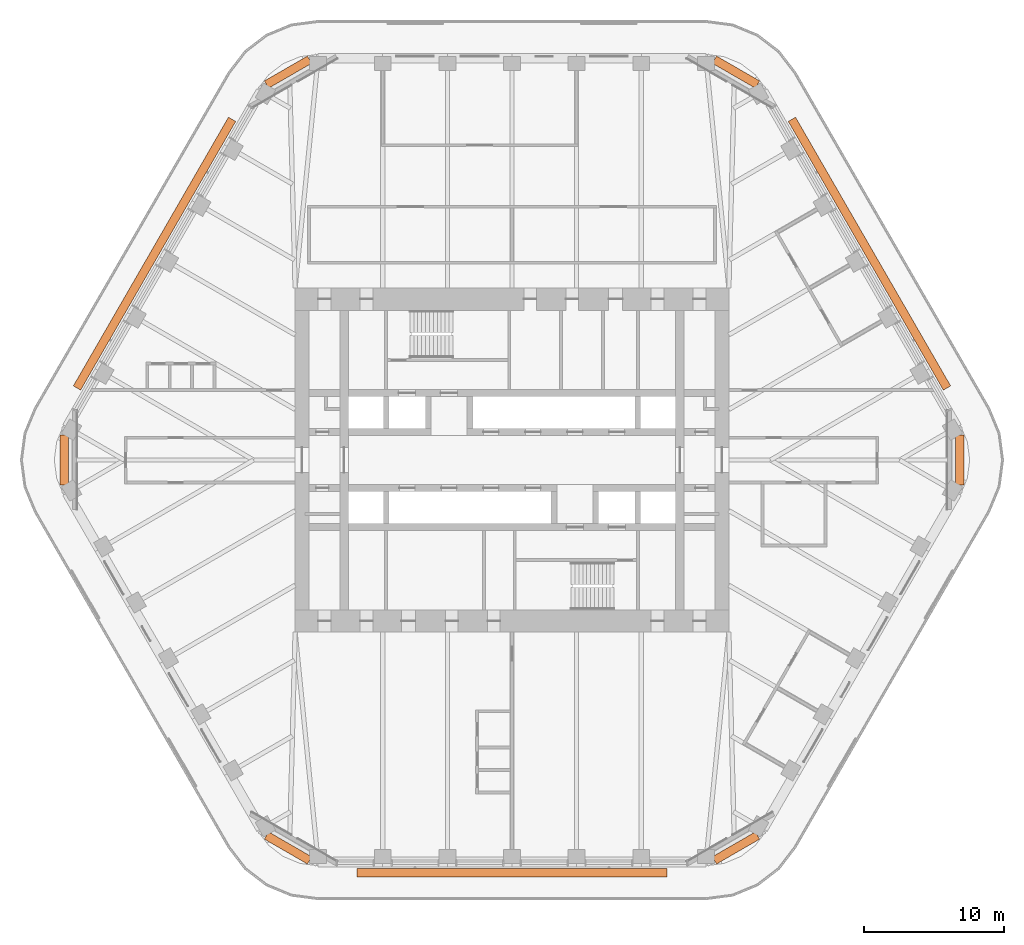
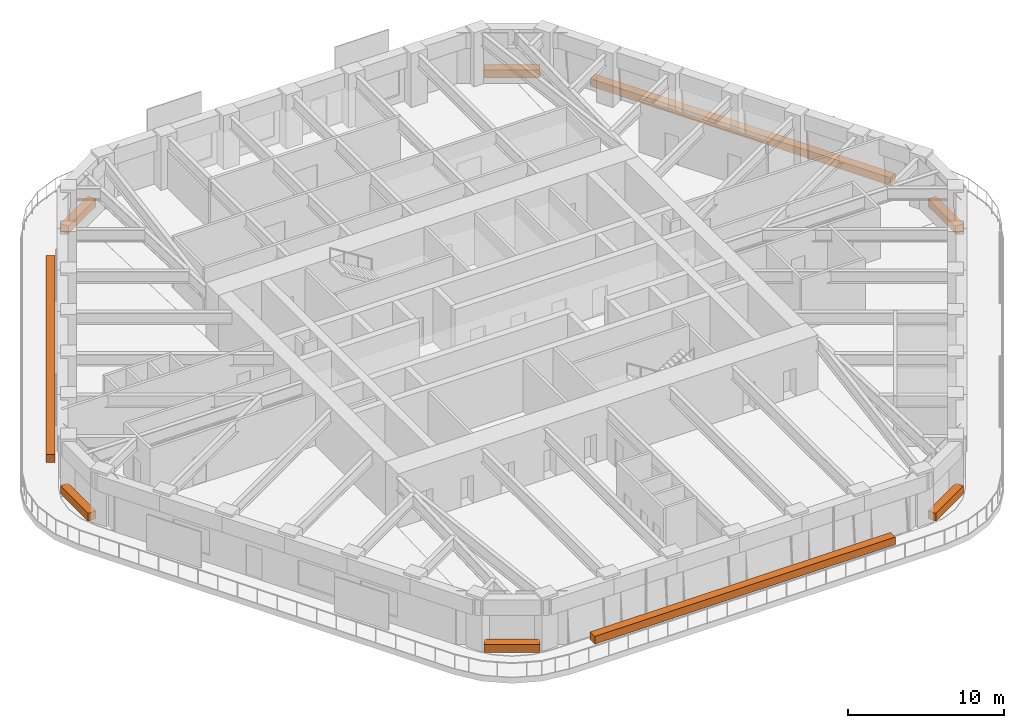
# One storey, part 20 of 20: 9 proxies.
"""IFC4 building model written with IfcOpenShell, lengths in metres."""

from ifc_helpers import new_model, si_unit, direction, frame, origin, origin_2d, place, context, subcontext, project, spatial, rectangle, extrude, material, element, save


model = new_model("IFC4")

# Units and contexts
model_context = context("Model", 3, precision=1e-05, world=origin(), true_north=direction((0.0, 1.0)))
body_context = subcontext(model_context, "Body", "Model", "MODEL_VIEW")
ifc_project = project(units=[si_unit("LENGTHUNIT", "METRE"), si_unit("AREAUNIT", "SQUARE_METRE"), si_unit("VOLUMEUNIT", "CUBIC_METRE"), si_unit("PLANEANGLEUNIT", "RADIAN"), si_unit("MASSUNIT", "GRAM", prefix="KILO")], contexts=[model_context])

# Site, building, storey
site_placement = place(None, origin())
site = spatial("IfcSite", under=ifc_project, at=site_placement, CompositionType="ELEMENT")
building_placement = place(site_placement, origin())
building = spatial("IfcBuilding", under=site, at=building_placement, Name="Tarfa Lantern Tower", CompositionType="ELEMENT")
storey_placement = place(building_placement, frame((0.0, 0.0, 274.300048828125)))
storey = spatial("IfcBuildingStorey", under=building, at=storey_placement, Name="L62", CompositionType="ELEMENT", Elevation=274.300048828125)

# Proxies
ifc_material = material(Name="Planting bed")
for number, where, z_axis, x_axis, name in (
    (1, (16.006591796875, 27.72412109375, 0.039794921875), (0.0, 0.0, 1.0), (-0.866025403784, 0.5, 0.0), "Sky garden planter"),
    (2, (-16.006591796875, 27.72412109375, 0.039794921875), (0.0, 0.0, 1.0), (-0.866025403784, -0.5, 0.0), "Sky garden planter"),
    (3, (-32.012939453125, 0.0, 0.039794921875), (0.0, 0.0, 1.0), (0.0, -1.0, 0.0), "Sky garden planter"),
    (4, (-16.006591796875, -27.72412109375, 0.039794921875), (0.0, 0.0, 1.0), (0.866025403784, -0.5, 0.0), "Sky garden planter"),
    (5, (16.006591796875, -27.72412109375, 0.039794921875), (0.0, 0.0, 1.0), (0.866025403784, 0.5, 0.0), "Sky garden planter"),
    (6, (32.012939453125, 0.0, 0.039794921875), (0.0, 0.0, 1.0), (0.0, 1.0, 0.0), "Sky garden planter"),
):
    element("IfcBuildingElementProxy", number, at=place(storey_placement, frame(where, z_axis=z_axis, x_axis=x_axis)), inside=storey, material=ifc_material, Name=name, ObjectType="PLANTER", PredefinedType="USERDEFINED", context=body_context, shape_type="SweptSolid", body=[
        extrude(rectangle(XDim=3.551025390625, YDim=0.60009765625, at=origin_2d()), origin(), (0.0, 0.0, 1.0), 0.60009765625),
    ])
for number, where, z_axis, x_axis, name in (
    (7, (25.5478515625, 14.75, 0.0), (0.0, 0.0, 1.0), (-0.5, 0.866025403784, 0.0), "Balcony planter"),
    (8, (-25.5478515625, 14.75, 0.0), (0.0, 0.0, 1.0), (-0.5, -0.866025403784, 0.0), "Balcony planter"),
    (9, (0.0, -29.5, 0.0), (0.0, 0.0, 1.0), (1.0, 0.0, 0.0), "Balcony planter"),
):
    element("IfcBuildingElementProxy", number, at=place(storey_placement, frame(where, z_axis=z_axis, x_axis=x_axis)), inside=storey, material=ifc_material, Name=name, ObjectType="PLANTER", PredefinedType="USERDEFINED", context=body_context, shape_type="SweptSolid", body=[
        extrude(rectangle(XDim=22.170166015625, YDim=0.60009765625, at=origin_2d()), origin(), (0.0, 0.0, 1.0), 0.60009765625),
    ])

save(model, "model.ifc")
